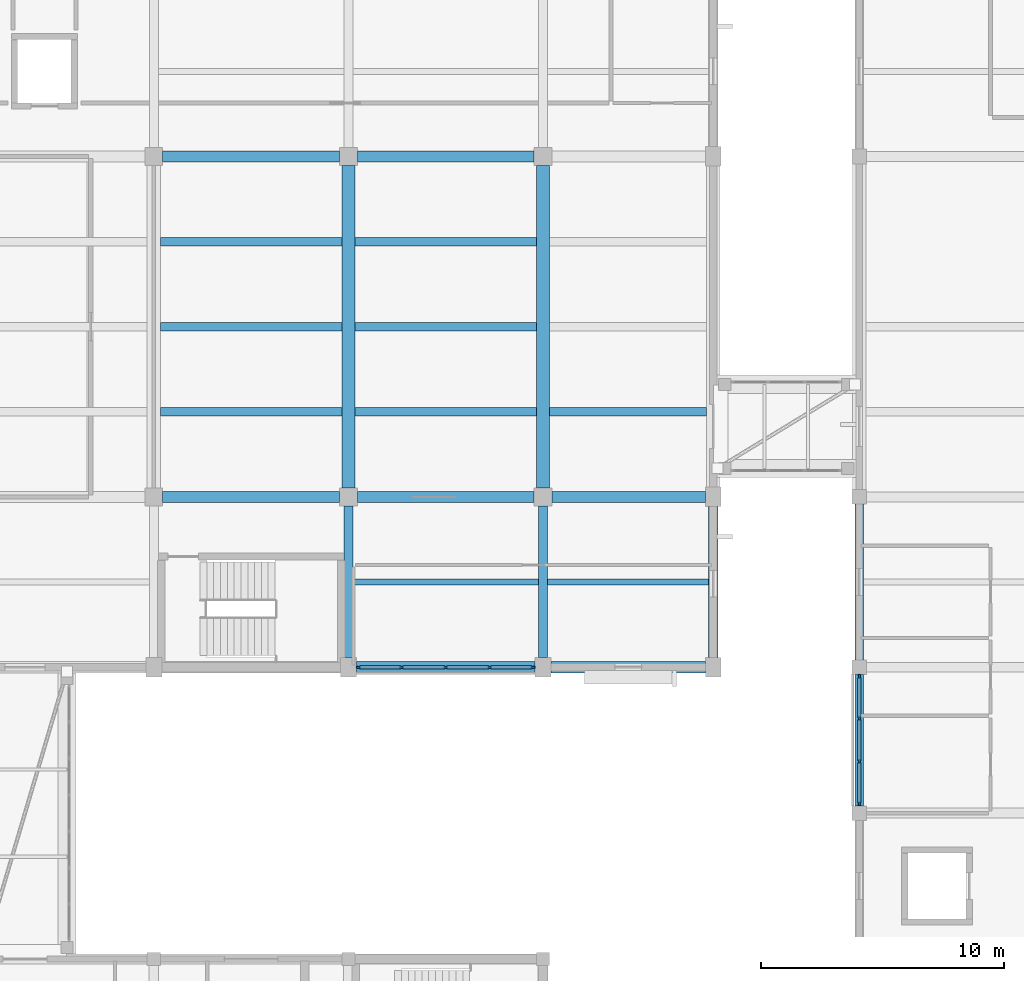
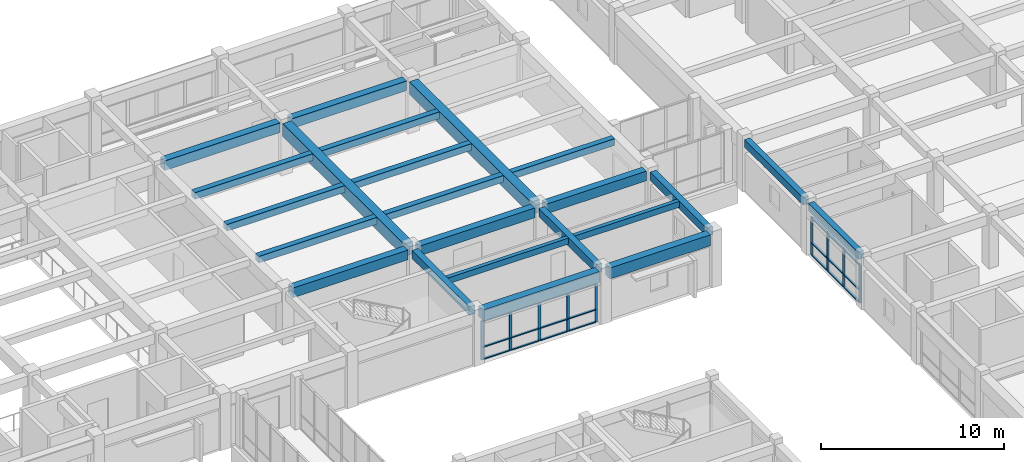
# One storey, part 12 of 42: 30 members, 23 beams, 2 elements without a shape of their own.
"""IFC4 building model written with IfcOpenShell, lengths in metres."""

from ifc_helpers import new_model, si_unit, direction, frame, origin, origin_2d, place, context, subcontext, project, spatial, rectangle, extrude, material, layer, layer_set, material_profile, profile_set, type_object, element, aggregate, save


model = new_model("IFC4")

# Units and contexts
model_context = context("Model", 3, precision=1e-05, world=origin(), true_north=direction((0.0, 1.0)))
body_context = subcontext(model_context, "Body", "Model", "MODEL_VIEW")
ifc_project = project(units=[si_unit("LENGTHUNIT", "METRE"), si_unit("AREAUNIT", "SQUARE_METRE"), si_unit("VOLUMEUNIT", "CUBIC_METRE"), si_unit("PLANEANGLEUNIT", "RADIAN"), si_unit("MASSUNIT", "GRAM", prefix="KILO")], contexts=[model_context])

# Site, building, storey
site_placement = place(None, origin())
site = spatial("IfcSite", under=ifc_project, at=site_placement, CompositionType="ELEMENT")
building_placement = place(site_placement, origin())
building = spatial("IfcBuilding", under=site, at=building_placement, Name="Naurynzar Civic Courthouse", CompositionType="ELEMENT")
storey_placement = place(building_placement, frame((0.0, 0.0, 18.300048828125)))
storey = spatial("IfcBuildingStorey", under=building, at=storey_placement, Name="L05", CompositionType="ELEMENT", Elevation=18.300048828125)

# Beams
ifc_material_1 = material(Name="Concrete C40/50", Category="concrete")
ifc_material_profile_1 = material_profile(ifc_material_1, rectangle(XDim=0.25, YDim=0.39990234375, at=origin_2d()), Name="RCB 250x400")
ifc_profile_set_1 = profile_set([ifc_material_profile_1], Name="Concrete C40/50")
beam_type_1 = type_object("IfcBeamType", Name="BM-JST-250x400", PredefinedType="JOIST", material=ifc_profile_set_1)
beam_1_placement = place(storey_placement, frame((109.1875, 47.5, 3.27001953125), z_axis=(1.0, 0.0, 0.0), x_axis=(0.0, 1.0, 0.0)))
element("IfcBeam", 1, at=beam_1_placement, inside=storey, type_object=beam_type_1, Name="V2 secondary rib 803 L05", PredefinedType="JOIST", context=body_context, shape_type="SweptSolid", body=[
    extrude(rectangle(XDim=0.25, YDim=0.39990234375, at=origin_2d()), origin(), (0.0, 0.0, 1.0), 7.625),
])
beam_2_placement = place(storey_placement, frame((117.1875, 47.5, 3.27001953125), z_axis=(1.0, 0.0, 0.0), x_axis=(0.0, 1.0, 0.0)))
element("IfcBeam", 2, at=beam_2_placement, inside=storey, type_object=beam_type_1, Name="V2 secondary rib 804 L05", PredefinedType="JOIST", context=body_context, shape_type="SweptSolid", body=[
    extrude(rectangle(XDim=0.25, YDim=0.39990234375, at=origin_2d()), origin(), (0.0, 0.0, 1.0), 6.625),
])
ifc_material_2 = material(Name="Concrete C40/50", Category="concrete")
ifc_material_profile_2 = material_profile(ifc_material_2, rectangle(XDim=0.550048828125, YDim=0.85009765625, at=origin_2d()), Name="PTB 550x850")
ifc_profile_set_2 = profile_set([ifc_material_profile_2], Name="Concrete C40/50")
beam_type_2 = type_object("IfcBeamType", Name="BM-PT-550x850", PredefinedType="T_BEAM", material=ifc_profile_set_2)
for number, where, z_axis, x_axis, name in (
    (3, (109.0, 51.362548828125, 3.044921875), (0.0, 1.0, 0.0), (-1.0, 0.0, 0.0), "V2 girder Y-793 L05"),
    (4, (117.0, 51.362548828125, 3.044921875), (0.0, 1.0, 0.0), (-1.0, 0.0, 0.0), "V2 girder Y-796 L05"),
):
    element("IfcBeam", number, at=place(storey_placement, frame(where, z_axis=z_axis, x_axis=x_axis)), inside=storey, type_object=beam_type_2, Name=name, PredefinedType="T_BEAM", context=body_context, shape_type="SweptSolid", body=[
        extrude(rectangle(XDim=0.550048828125, YDim=0.85009765625, at=origin_2d()), origin(), (0.0, 0.0, 1.0), 13.27490234375),
    ])
ifc_material_3 = material(Name="Concrete C40/50", Category="concrete")
ifc_material_profile_3 = material_profile(ifc_material_3, rectangle(XDim=0.35009765625, YDim=0.449951171875, at=origin_2d()), Name="RCB 350x450")
ifc_profile_set_3 = profile_set([ifc_material_profile_3], Name="Concrete C40/50")
beam_type_3 = type_object("IfcBeamType", Name="BM-RC-350x450", PredefinedType="BEAM", material=ifc_profile_set_3)
for number, where, z_axis, x_axis, name in (
    (5, (101.27490234375, 54.5, 3.244873046875), (1.0, 0.0, 0.0), (0.0, 1.0, 0.0), "V2 secondary rib 820 L05"),
    (6, (101.27490234375, 58.0, 3.244873046875), (1.0, 0.0, 0.0), (0.0, 1.0, 0.0), "V2 secondary rib 821 L05"),
    (7, (101.27490234375, 61.5, 3.244873046875), (1.0, 0.0, 0.0), (0.0, 1.0, 0.0), "V2 secondary rib 822 L05"),
    (8, (109.27490234375, 54.5, 3.244873046875), (1.0, 0.0, 0.0), (0.0, 1.0, 0.0), "V2 secondary rib 823 L05"),
    (9, (109.27490234375, 58.0, 3.244873046875), (1.0, 0.0, 0.0), (0.0, 1.0, 0.0), "V2 secondary rib 824 L05"),
    (10, (109.27490234375, 61.5, 3.244873046875), (1.0, 0.0, 0.0), (0.0, 1.0, 0.0), "V2 secondary rib 825 L05"),
):
    element("IfcBeam", number, at=place(storey_placement, frame(where, z_axis=z_axis, x_axis=x_axis)), inside=storey, type_object=beam_type_3, Name=name, PredefinedType="BEAM", context=body_context, shape_type="SweptSolid", body=[
        extrude(rectangle(XDim=0.35009765625, YDim=0.449951171875, at=origin_2d()), origin(), (0.0, 0.0, 1.0), 7.4501953125),
    ])
beam_3_placement = place(storey_placement, frame((117.27490234375, 54.5, 3.244873046875), z_axis=(1.0, 0.0, 0.0), x_axis=(0.0, 1.0, 0.0)))
element("IfcBeam", 11, at=beam_3_placement, inside=storey, type_object=beam_type_3, Name="V2 secondary rib 826 L05", PredefinedType="BEAM", context=body_context, shape_type="SweptSolid", body=[
    extrude(rectangle(XDim=0.35009765625, YDim=0.449951171875, at=origin_2d()), origin(), (0.0, 0.0, 1.0), 6.4501953125),
])
ifc_material_4 = material(Name="Concrete C40/50", Category="concrete")
ifc_material_profile_4 = material_profile(ifc_material_4, rectangle(XDim=0.35009765625, YDim=0.5, at=origin_2d()), Name="RCB 350x500")
ifc_profile_set_4 = profile_set([ifc_material_profile_4], Name="Concrete C40/50")
beam_type_4 = type_object("IfcBeamType", Name="BM-RC-350x500", PredefinedType="BEAM", material=ifc_profile_set_4)
beam_4_placement = place(storey_placement, frame((130.0, 38.300048828125, 3.219970703125), z_axis=(0.0, 1.0, 0.0), x_axis=(-1.0, 0.0, 0.0)))
element("IfcBeam", 12, at=beam_4_placement, inside=storey, type_object=beam_type_4, Name="V5 girder Y-2667 L05", PredefinedType="BEAM", context=body_context, shape_type="SweptSolid", body=[
    extrude(rectangle(XDim=0.35009765625, YDim=0.5, at=origin_2d()), origin(), (0.0, 0.0, 1.0), 5.39990234375),
])
beam_5_placement = place(storey_placement, frame((130.0, 44.300048828125, 3.219970703125), z_axis=(0.0, 1.0, 0.0), x_axis=(-1.0, 0.0, 0.0)))
element("IfcBeam", 13, at=beam_5_placement, inside=storey, type_object=beam_type_4, Name="V5 girder Y-2668 L05", PredefinedType="BEAM", context=body_context, shape_type="SweptSolid", body=[
    extrude(rectangle(XDim=0.35009765625, YDim=0.5, at=origin_2d()), origin(), (0.0, 0.0, 1.0), 6.39990234375),
])
ifc_material_5 = material(Name="Concrete C40/50", Category="concrete")
ifc_material_profile_5 = material_profile(ifc_material_5, rectangle(XDim=0.375, YDim=0.550048828125, at=origin_2d()), Name="RCB 375x550")
ifc_profile_set_5 = profile_set([ifc_material_profile_5], Name="Concrete C40/50")
beam_type_5 = type_object("IfcBeamType", Name="BM-RC-375x550", PredefinedType="BEAM", material=ifc_profile_set_5)
for number, where, z_axis, x_axis, name in (
    (14, (109.0, 44.39990234375, 3.195068359375), (0.0, 1.0, 0.0), (-1.0, 0.0, 0.0), "V2 girder Y-792 L05"),
    (15, (117.0, 44.39990234375, 3.195068359375), (0.0, 1.0, 0.0), (-1.0, 0.0, 0.0), "V2 girder Y-795 L05"),
):
    element("IfcBeam", number, at=place(storey_placement, frame(where, z_axis=z_axis, x_axis=x_axis)), inside=storey, type_object=beam_type_5, Name=name, PredefinedType="BEAM", context=body_context, shape_type="SweptSolid", body=[
        extrude(rectangle(XDim=0.375, YDim=0.550048828125, at=origin_2d()), origin(), (0.0, 0.0, 1.0), 6.237548828125),
    ])
beam_6_placement = place(storey_placement, frame((124.0, 44.39990234375, 3.195068359375), z_axis=(0.0, 1.0, 0.0), x_axis=(-1.0, 0.0, 0.0)))
element("IfcBeam", 16, at=beam_6_placement, inside=storey, type_object=beam_type_5, Name="V2 girder Y-798 L05", PredefinedType="BEAM", context=body_context, shape_type="SweptSolid", body=[
    extrude(rectangle(XDim=0.375, YDim=0.550048828125, at=origin_2d()), origin(), (0.0, 0.0, 1.0), 6.2001953125),
])
ifc_material_6 = material(Name="Concrete C40/50", Category="concrete")
ifc_material_profile_6 = material_profile(ifc_material_6, rectangle(XDim=0.449951171875, YDim=0.64990234375, at=origin_2d()), Name="RCB 450x650")
ifc_profile_set_6 = profile_set([ifc_material_profile_6], Name="Concrete C40/50")
beam_type_6 = type_object("IfcBeamType", Name="BM-RC-450x650", PredefinedType="BEAM", material=ifc_profile_set_6)
for number, where, z_axis, x_axis, name in (
    (17, (101.362548828125, 51.0, 3.14501953125), (1.0, 0.0, 0.0), (0.0, 1.0, 0.0), "V2 beam X-755 L05"),
    (18, (109.362548828125, 51.0, 3.14501953125), (1.0, 0.0, 0.0), (0.0, 1.0, 0.0), "V2 beam X-756 L05"),
):
    element("IfcBeam", number, at=place(storey_placement, frame(where, z_axis=z_axis, x_axis=x_axis)), inside=storey, type_object=beam_type_6, Name=name, PredefinedType="BEAM", context=body_context, shape_type="SweptSolid", body=[
        extrude(rectangle(XDim=0.449951171875, YDim=0.64990234375, at=origin_2d()), origin(), (0.0, 0.0, 1.0), 7.27490234375),
    ])
beam_7_placement = place(storey_placement, frame((117.362548828125, 51.0, 3.14501953125), z_axis=(1.0, 0.0, 0.0), x_axis=(0.0, 1.0, 0.0)))
element("IfcBeam", 19, at=beam_7_placement, inside=storey, type_object=beam_type_6, Name="V2 beam X-757 L05", PredefinedType="BEAM", context=body_context, shape_type="SweptSolid", body=[
    extrude(rectangle(XDim=0.449951171875, YDim=0.64990234375, at=origin_2d()), origin(), (0.0, 0.0, 1.0), 6.3125),
])
for number, where, z_axis, x_axis, name in (
    (20, (101.362548828125, 65.0, 3.14501953125), (1.0, 0.0, 0.0), (0.0, 1.0, 0.0), "V2 beam X-763 L05"),
    (21, (109.362548828125, 65.0, 3.14501953125), (1.0, 0.0, 0.0), (0.0, 1.0, 0.0), "V2 beam X-764 L05"),
):
    element("IfcBeam", number, at=place(storey_placement, frame(where, z_axis=z_axis, x_axis=x_axis)), inside=storey, type_object=beam_type_6, Name=name, PredefinedType="BEAM", context=body_context, shape_type="SweptSolid", body=[
        extrude(rectangle(XDim=0.449951171875, YDim=0.64990234375, at=origin_2d()), origin(), (0.0, 0.0, 1.0), 7.27490234375),
    ])
ifc_material_7 = material(Name="Concrete C40/50", Category="concrete")
ifc_material_profile_7 = material_profile(ifc_material_7, rectangle(XDim=0.47509765625, YDim=0.72509765625, at=origin_2d()), Name="RCB 475x725")
ifc_profile_set_7 = profile_set([ifc_material_profile_7], Name="Concrete C40/50")
beam_type_7 = type_object("IfcBeamType", Name="BM-RC-475x725", PredefinedType="SPANDREL", material=ifc_profile_set_7)
beam_8_placement = place(storey_placement, frame((109.324951171875, 44.0, 3.107421875), z_axis=(1.0, 0.0, 0.0), x_axis=(0.0, 1.0, 0.0)))
element("IfcBeam", 22, at=beam_8_placement, inside=storey, type_object=beam_type_7, Name="V2 beam X-748 L05", PredefinedType="SPANDREL", context=body_context, shape_type="SweptSolid", body=[
    extrude(rectangle(XDim=0.47509765625, YDim=0.72509765625, at=origin_2d()), origin(), (0.0, 0.0, 1.0), 7.35009765625),
])
beam_9_placement = place(storey_placement, frame((117.324951171875, 44.0, 3.107421875), z_axis=(1.0, 0.0, 0.0), x_axis=(0.0, 1.0, 0.0)))
element("IfcBeam", 23, at=beam_9_placement, inside=storey, type_object=beam_type_7, Name="V2 beam X-749 L05", PredefinedType="SPANDREL", context=body_context, shape_type="SweptSolid", body=[
    extrude(rectangle(XDim=0.47509765625, YDim=0.72509765625, at=origin_2d()), origin(), (0.0, 0.0, 1.0), 6.35009765625),
])

# Curtain wall, members
ifc_material_8 = material(Name="Aluminium 6063-T6", Category="aluminium")
ifc_layer = layer(ifc_material_8, 0.159912109375)
ifc_layer_set = layer_set([ifc_layer], Name="CW-UNIT-1800")
curtain_wall_type = type_object("IfcCurtainWallType", Name="CW-UNIT-1800", PredefinedType="NOTDEFINED", material=ifc_layer_set)
curtain_wall_1_placement = place(storey_placement, origin())
curtain_wall_1 = element("IfcCurtainWall", 24, at=curtain_wall_1_placement, inside=storey, type_object=curtain_wall_type, Name="V2 unitised curtain wall 40 L05", PredefinedType="NOTDEFINED")
ifc_material_9 = material(Name="Aluminium 6063-T6", Category="aluminium")
ifc_material_profile_8 = material_profile(ifc_material_9, rectangle(XDim=0.070068359375, YDim=0.179931640625, at=origin_2d()), Name="ALU MULLION 70x180")
ifc_profile_set_8 = profile_set([ifc_material_profile_8], Name="Aluminium 6063-T6")
member_type_1 = type_object("IfcMemberType", Name="CWM-70x180", PredefinedType="MULLION", material=ifc_profile_set_8)
member_1_placement = place(storey_placement, frame((116.590087890625, 44.0, 0.0), z_axis=(0.0, 0.0, 1.0), x_axis=(0.0, -1.0, 0.0)))
member_1 = element("IfcMember", 25, at=member_1_placement, type_object=member_type_1, Name="CW-02 mullion 1", PredefinedType="MULLION", context=body_context, shape_type="SweptSolid", body=[
    extrude(rectangle(XDim=0.070068359375, YDim=0.179931640625, at=origin_2d()), origin(), (0.0, 0.0, 1.0), 2.599853515625),
])
member_2_placement = place(storey_placement, frame((114.8125, 44.0, 0.0), z_axis=(0.0, 0.0, 1.0), x_axis=(0.0, -1.0, 0.0)))
member_2 = element("IfcMember", 26, at=member_2_placement, type_object=member_type_1, Name="CW-02 mullion 2", PredefinedType="MULLION", context=body_context, shape_type="SweptSolid", body=[
    extrude(rectangle(XDim=0.070068359375, YDim=0.179931640625, at=origin_2d()), origin(), (0.0, 0.0, 1.0), 2.599853515625),
])
member_3_placement = place(storey_placement, frame((113.0, 44.0, 0.0), z_axis=(0.0, 0.0, 1.0), x_axis=(0.0, -1.0, 0.0)))
member_3 = element("IfcMember", 27, at=member_3_placement, type_object=member_type_1, Name="CW-02 mullion 3", PredefinedType="MULLION", context=body_context, shape_type="SweptSolid", body=[
    extrude(rectangle(XDim=0.070068359375, YDim=0.179931640625, at=origin_2d()), origin(), (0.0, 0.0, 1.0), 2.599853515625),
])
member_4_placement = place(storey_placement, frame((111.1875, 44.0, 0.0), z_axis=(0.0, 0.0, 1.0), x_axis=(0.0, -1.0, 0.0)))
member_4 = element("IfcMember", 28, at=member_4_placement, type_object=member_type_1, Name="CW-02 mullion 4", PredefinedType="MULLION", context=body_context, shape_type="SweptSolid", body=[
    extrude(rectangle(XDim=0.070068359375, YDim=0.179931640625, at=origin_2d()), origin(), (0.0, 0.0, 1.0), 2.599853515625),
])
member_5_placement = place(storey_placement, frame((109.409912109375, 44.0, 0.0), z_axis=(0.0, 0.0, 1.0), x_axis=(0.0, -1.0, 0.0)))
member_5 = element("IfcMember", 29, at=member_5_placement, type_object=member_type_1, Name="CW-02 mullion 5", PredefinedType="MULLION", context=body_context, shape_type="SweptSolid", body=[
    extrude(rectangle(XDim=0.070068359375, YDim=0.179931640625, at=origin_2d()), origin(), (0.0, 0.0, 1.0), 2.599853515625),
])

curtain_wall_2_placement = place(storey_placement, origin())
curtain_wall_2 = element("IfcCurtainWall", 30, at=curtain_wall_2_placement, inside=storey, type_object=curtain_wall_type, Name="V5 unitised curtain wall 104 L05", PredefinedType="NOTDEFINED")
member_6_placement = place(storey_placement, frame((130.0, 38.385009765625, 0.0), z_axis=(0.0, 0.0, 1.0), x_axis=(-1.0, 0.0, 0.0)))
member_6 = element("IfcMember", 31, at=member_6_placement, type_object=member_type_1, Name="CW-02 mullion 1", PredefinedType="MULLION", context=body_context, shape_type="SweptSolid", body=[
    extrude(rectangle(XDim=0.070068359375, YDim=0.179931640625, at=origin_2d()), origin(), (0.0, 0.0, 1.0), 2.550048828125),
])
member_7_placement = place(storey_placement, frame((130.0, 40.11669921875, 0.0), z_axis=(0.0, 0.0, 1.0), x_axis=(-1.0, 0.0, 0.0)))
member_7 = element("IfcMember", 32, at=member_7_placement, type_object=member_type_1, Name="CW-02 mullion 2", PredefinedType="MULLION", context=body_context, shape_type="SweptSolid", body=[
    extrude(rectangle(XDim=0.070068359375, YDim=0.179931640625, at=origin_2d()), origin(), (0.0, 0.0, 1.0), 2.550048828125),
])
member_8_placement = place(storey_placement, frame((130.0, 41.88330078125, 0.0), z_axis=(0.0, 0.0, 1.0), x_axis=(-1.0, 0.0, 0.0)))
member_8 = element("IfcMember", 33, at=member_8_placement, type_object=member_type_1, Name="CW-02 mullion 3", PredefinedType="MULLION", context=body_context, shape_type="SweptSolid", body=[
    extrude(rectangle(XDim=0.070068359375, YDim=0.179931640625, at=origin_2d()), origin(), (0.0, 0.0, 1.0), 2.550048828125),
])
member_9_placement = place(storey_placement, frame((130.0, 43.614990234375, 0.0), z_axis=(0.0, 0.0, 1.0), x_axis=(-1.0, 0.0, 0.0)))
member_9 = element("IfcMember", 34, at=member_9_placement, type_object=member_type_1, Name="CW-02 mullion 4", PredefinedType="MULLION", context=body_context, shape_type="SweptSolid", body=[
    extrude(rectangle(XDim=0.070068359375, YDim=0.179931640625, at=origin_2d()), origin(), (0.0, 0.0, 1.0), 2.550048828125),
])

# Member
ifc_material_10 = material(Name="Aluminium 6063-T6", Category="aluminium")
ifc_material_profile_9 = material_profile(ifc_material_10, rectangle(XDim=0.1298828125, YDim=0.070068359375, at=origin_2d()), Name="ALU TRANSOM 70x130")
ifc_profile_set_9 = profile_set([ifc_material_profile_9], Name="Aluminium 6063-T6")
member_type_2 = type_object("IfcMemberType", Name="CWT-70x130", PredefinedType="USERDEFINED", material=ifc_profile_set_9)
member_10_placement = place(storey_placement, frame((116.554931640625, 44.0, 0.034912109375), z_axis=(-1.0, 0.0, 0.0), x_axis=(0.0, -1.0, 0.0)))
member_10 = element("IfcMember", 35, at=member_10_placement, type_object=member_type_2, Name="CW-02 transom 1.1", ObjectType="TRANSOM", PredefinedType="USERDEFINED", context=body_context, shape_type="SweptSolid", body=[
    extrude(rectangle(XDim=0.1298828125, YDim=0.070068359375, at=origin_2d()), origin(), (0.0, 0.0, 1.0), 1.70751953125),
])

member_11_placement = place(storey_placement, frame((116.554931640625, 44.0, 0.849853515625), z_axis=(-1.0, 0.0, 0.0), x_axis=(0.0, -1.0, 0.0)))
member_11 = element("IfcMember", 36, at=member_11_placement, type_object=member_type_2, Name="CW-02 transom 1.2", ObjectType="TRANSOM", PredefinedType="USERDEFINED", context=body_context, shape_type="SweptSolid", body=[
    extrude(rectangle(XDim=0.1298828125, YDim=0.070068359375, at=origin_2d()), origin(), (0.0, 0.0, 1.0), 1.70751953125),
])

member_12_placement = place(storey_placement, frame((116.554931640625, 44.0, 2.56494140625), z_axis=(-1.0, 0.0, 0.0), x_axis=(0.0, -1.0, 0.0)))
member_12 = element("IfcMember", 37, at=member_12_placement, type_object=member_type_2, Name="CW-02 transom 1.3", ObjectType="TRANSOM", PredefinedType="USERDEFINED", context=body_context, shape_type="SweptSolid", body=[
    extrude(rectangle(XDim=0.1298828125, YDim=0.070068359375, at=origin_2d()), origin(), (0.0, 0.0, 1.0), 1.70751953125),
])

member_13_placement = place(storey_placement, frame((114.777587890625, 44.0, 0.034912109375), z_axis=(-1.0, 0.0, 0.0), x_axis=(0.0, -1.0, 0.0)))
member_13 = element("IfcMember", 38, at=member_13_placement, type_object=member_type_2, Name="CW-02 transom 2.1", ObjectType="TRANSOM", PredefinedType="USERDEFINED", context=body_context, shape_type="SweptSolid", body=[
    extrude(rectangle(XDim=0.1298828125, YDim=0.070068359375, at=origin_2d()), origin(), (0.0, 0.0, 1.0), 1.74267578125),
])

member_14_placement = place(storey_placement, frame((114.777587890625, 44.0, 0.849853515625), z_axis=(-1.0, 0.0, 0.0), x_axis=(0.0, -1.0, 0.0)))
member_14 = element("IfcMember", 39, at=member_14_placement, type_object=member_type_2, Name="CW-02 transom 2.2", ObjectType="TRANSOM", PredefinedType="USERDEFINED", context=body_context, shape_type="SweptSolid", body=[
    extrude(rectangle(XDim=0.1298828125, YDim=0.070068359375, at=origin_2d()), origin(), (0.0, 0.0, 1.0), 1.74267578125),
])

member_15_placement = place(storey_placement, frame((114.777587890625, 44.0, 2.56494140625), z_axis=(-1.0, 0.0, 0.0), x_axis=(0.0, -1.0, 0.0)))
member_15 = element("IfcMember", 40, at=member_15_placement, type_object=member_type_2, Name="CW-02 transom 2.3", ObjectType="TRANSOM", PredefinedType="USERDEFINED", context=body_context, shape_type="SweptSolid", body=[
    extrude(rectangle(XDim=0.1298828125, YDim=0.070068359375, at=origin_2d()), origin(), (0.0, 0.0, 1.0), 1.74267578125),
])

member_16_placement = place(storey_placement, frame((112.965087890625, 44.0, 0.034912109375), z_axis=(-1.0, 0.0, 0.0), x_axis=(0.0, -1.0, 0.0)))
member_16 = element("IfcMember", 41, at=member_16_placement, type_object=member_type_2, Name="CW-02 transom 3.1", ObjectType="TRANSOM", PredefinedType="USERDEFINED", context=body_context, shape_type="SweptSolid", body=[
    extrude(rectangle(XDim=0.1298828125, YDim=0.070068359375, at=origin_2d()), origin(), (0.0, 0.0, 1.0), 1.74267578125),
])

member_17_placement = place(storey_placement, frame((112.965087890625, 44.0, 0.849853515625), z_axis=(-1.0, 0.0, 0.0), x_axis=(0.0, -1.0, 0.0)))
member_17 = element("IfcMember", 42, at=member_17_placement, type_object=member_type_2, Name="CW-02 transom 3.2", ObjectType="TRANSOM", PredefinedType="USERDEFINED", context=body_context, shape_type="SweptSolid", body=[
    extrude(rectangle(XDim=0.1298828125, YDim=0.070068359375, at=origin_2d()), origin(), (0.0, 0.0, 1.0), 1.74267578125),
])

member_18_placement = place(storey_placement, frame((112.965087890625, 44.0, 2.56494140625), z_axis=(-1.0, 0.0, 0.0), x_axis=(0.0, -1.0, 0.0)))
member_18 = element("IfcMember", 43, at=member_18_placement, type_object=member_type_2, Name="CW-02 transom 3.3", ObjectType="TRANSOM", PredefinedType="USERDEFINED", context=body_context, shape_type="SweptSolid", body=[
    extrude(rectangle(XDim=0.1298828125, YDim=0.070068359375, at=origin_2d()), origin(), (0.0, 0.0, 1.0), 1.74267578125),
])

member_19_placement = place(storey_placement, frame((111.152587890625, 44.0, 0.034912109375), z_axis=(-1.0, 0.0, 0.0), x_axis=(0.0, -1.0, 0.0)))
member_19 = element("IfcMember", 44, at=member_19_placement, type_object=member_type_2, Name="CW-02 transom 4.1", ObjectType="TRANSOM", PredefinedType="USERDEFINED", context=body_context, shape_type="SweptSolid", body=[
    extrude(rectangle(XDim=0.1298828125, YDim=0.070068359375, at=origin_2d()), origin(), (0.0, 0.0, 1.0), 1.70751953125),
])

member_20_placement = place(storey_placement, frame((111.152587890625, 44.0, 0.849853515625), z_axis=(-1.0, 0.0, 0.0), x_axis=(0.0, -1.0, 0.0)))
member_20 = element("IfcMember", 45, at=member_20_placement, type_object=member_type_2, Name="CW-02 transom 4.2", ObjectType="TRANSOM", PredefinedType="USERDEFINED", context=body_context, shape_type="SweptSolid", body=[
    extrude(rectangle(XDim=0.1298828125, YDim=0.070068359375, at=origin_2d()), origin(), (0.0, 0.0, 1.0), 1.70751953125),
])

member_21_placement = place(storey_placement, frame((111.152587890625, 44.0, 2.56494140625), z_axis=(-1.0, 0.0, 0.0), x_axis=(0.0, -1.0, 0.0)))
member_21 = element("IfcMember", 46, at=member_21_placement, type_object=member_type_2, Name="CW-02 transom 4.3", ObjectType="TRANSOM", PredefinedType="USERDEFINED", context=body_context, shape_type="SweptSolid", body=[
    extrude(rectangle(XDim=0.1298828125, YDim=0.070068359375, at=origin_2d()), origin(), (0.0, 0.0, 1.0), 1.70751953125),
])

aggregate(curtain_wall_1, [member_1, member_2, member_3, member_4, member_5, member_10, member_11, member_12, member_13, member_14, member_15, member_16, member_17, member_18, member_19, member_20, member_21])

member_22_placement = place(storey_placement, frame((130.0, 38.419921875, 0.034912109375), z_axis=(0.0, 1.0, 0.0), x_axis=(-1.0, 0.0, 0.0)))
member_22 = element("IfcMember", 47, at=member_22_placement, type_object=member_type_2, Name="CW-02 transom 1.1", ObjectType="TRANSOM", PredefinedType="USERDEFINED", context=body_context, shape_type="SweptSolid", body=[
    extrude(rectangle(XDim=0.1298828125, YDim=0.070068359375, at=origin_2d()), origin(), (0.0, 0.0, 1.0), 1.661865234375),
])

member_23_placement = place(storey_placement, frame((130.0, 38.419921875, 0.849853515625), z_axis=(0.0, 1.0, 0.0), x_axis=(-1.0, 0.0, 0.0)))
member_23 = element("IfcMember", 48, at=member_23_placement, type_object=member_type_2, Name="CW-02 transom 1.2", ObjectType="TRANSOM", PredefinedType="USERDEFINED", context=body_context, shape_type="SweptSolid", body=[
    extrude(rectangle(XDim=0.1298828125, YDim=0.070068359375, at=origin_2d()), origin(), (0.0, 0.0, 1.0), 1.661865234375),
])

member_24_placement = place(storey_placement, frame((130.0, 38.419921875, 2.514892578125), z_axis=(0.0, 1.0, 0.0), x_axis=(-1.0, 0.0, 0.0)))
member_24 = element("IfcMember", 49, at=member_24_placement, type_object=member_type_2, Name="CW-02 transom 1.3", ObjectType="TRANSOM", PredefinedType="USERDEFINED", context=body_context, shape_type="SweptSolid", body=[
    extrude(rectangle(XDim=0.1298828125, YDim=0.070068359375, at=origin_2d()), origin(), (0.0, 0.0, 1.0), 1.661865234375),
])

member_25_placement = place(storey_placement, frame((130.0, 40.151611328125, 0.034912109375), z_axis=(0.0, 1.0, 0.0), x_axis=(-1.0, 0.0, 0.0)))
member_25 = element("IfcMember", 50, at=member_25_placement, type_object=member_type_2, Name="CW-02 transom 2.1", ObjectType="TRANSOM", PredefinedType="USERDEFINED", context=body_context, shape_type="SweptSolid", body=[
    extrude(rectangle(XDim=0.1298828125, YDim=0.070068359375, at=origin_2d()), origin(), (0.0, 0.0, 1.0), 1.69677734375),
])

member_26_placement = place(storey_placement, frame((130.0, 40.151611328125, 0.849853515625), z_axis=(0.0, 1.0, 0.0), x_axis=(-1.0, 0.0, 0.0)))
member_26 = element("IfcMember", 51, at=member_26_placement, type_object=member_type_2, Name="CW-02 transom 2.2", ObjectType="TRANSOM", PredefinedType="USERDEFINED", context=body_context, shape_type="SweptSolid", body=[
    extrude(rectangle(XDim=0.1298828125, YDim=0.070068359375, at=origin_2d()), origin(), (0.0, 0.0, 1.0), 1.69677734375),
])

member_27_placement = place(storey_placement, frame((130.0, 40.151611328125, 2.514892578125), z_axis=(0.0, 1.0, 0.0), x_axis=(-1.0, 0.0, 0.0)))
member_27 = element("IfcMember", 52, at=member_27_placement, type_object=member_type_2, Name="CW-02 transom 2.3", ObjectType="TRANSOM", PredefinedType="USERDEFINED", context=body_context, shape_type="SweptSolid", body=[
    extrude(rectangle(XDim=0.1298828125, YDim=0.070068359375, at=origin_2d()), origin(), (0.0, 0.0, 1.0), 1.69677734375),
])

member_28_placement = place(storey_placement, frame((130.0, 41.918212890625, 0.034912109375), z_axis=(0.0, 1.0, 0.0), x_axis=(-1.0, 0.0, 0.0)))
member_28 = element("IfcMember", 53, at=member_28_placement, type_object=member_type_2, Name="CW-02 transom 3.1", ObjectType="TRANSOM", PredefinedType="USERDEFINED", context=body_context, shape_type="SweptSolid", body=[
    extrude(rectangle(XDim=0.1298828125, YDim=0.070068359375, at=origin_2d()), origin(), (0.0, 0.0, 1.0), 1.661865234375),
])

member_29_placement = place(storey_placement, frame((130.0, 41.918212890625, 0.849853515625), z_axis=(0.0, 1.0, 0.0), x_axis=(-1.0, 0.0, 0.0)))
member_29 = element("IfcMember", 54, at=member_29_placement, type_object=member_type_2, Name="CW-02 transom 3.2", ObjectType="TRANSOM", PredefinedType="USERDEFINED", context=body_context, shape_type="SweptSolid", body=[
    extrude(rectangle(XDim=0.1298828125, YDim=0.070068359375, at=origin_2d()), origin(), (0.0, 0.0, 1.0), 1.661865234375),
])

member_30_placement = place(storey_placement, frame((130.0, 41.918212890625, 2.514892578125), z_axis=(0.0, 1.0, 0.0), x_axis=(-1.0, 0.0, 0.0)))
member_30 = element("IfcMember", 55, at=member_30_placement, type_object=member_type_2, Name="CW-02 transom 3.3", ObjectType="TRANSOM", PredefinedType="USERDEFINED", context=body_context, shape_type="SweptSolid", body=[
    extrude(rectangle(XDim=0.1298828125, YDim=0.070068359375, at=origin_2d()), origin(), (0.0, 0.0, 1.0), 1.661865234375),
])

aggregate(curtain_wall_2, [member_6, member_7, member_8, member_9, member_22, member_23, member_24, member_25, member_26, member_27, member_28, member_29, member_30])

save(model, "model.ifc")
